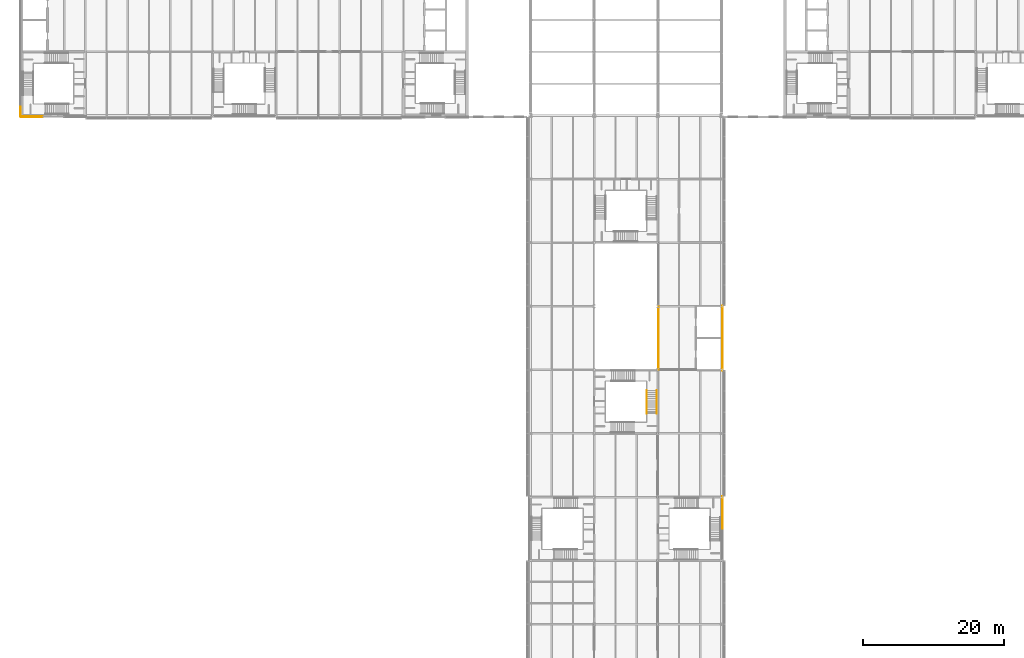
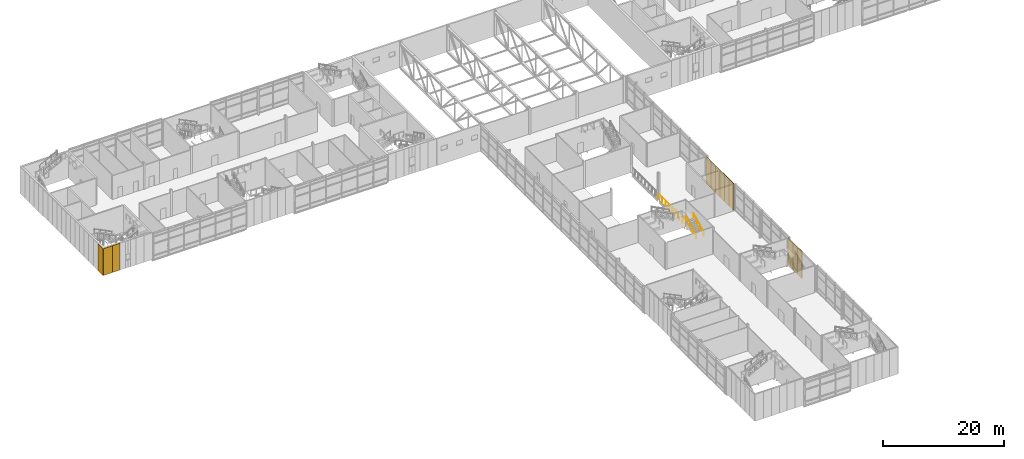
# One storey, part 47 of 53: 12 coverings, 3 railings.
"""IFC4 building model written with IfcOpenShell, lengths in metres."""

from ifc_helpers import new_model, si_unit, direction, frame, origin, origin_2d, place, context, subcontext, project, spatial, rectangle, circle, extrude, material, layer, layer_set, type_object, element, save


model = new_model("IFC4")

# Units and contexts
model_context = context("Model", 3, precision=1e-05, world=origin(), true_north=direction((0.0, 1.0)))
body_context = subcontext(model_context, "Body", "Model", "MODEL_VIEW")
ifc_project = project(units=[si_unit("LENGTHUNIT", "METRE"), si_unit("AREAUNIT", "SQUARE_METRE"), si_unit("VOLUMEUNIT", "CUBIC_METRE"), si_unit("PLANEANGLEUNIT", "RADIAN"), si_unit("MASSUNIT", "GRAM", prefix="KILO")], contexts=[model_context])

# Site, building, storey
site_placement = place(None, origin())
site = spatial("IfcSite", under=ifc_project, at=site_placement, CompositionType="ELEMENT")
building_placement = place(site_placement, origin())
building = spatial("IfcBuilding", under=site, at=building_placement, Name="Azimuth Sports and Learning Centre", CompositionType="ELEMENT")
storey_placement = place(building_placement, frame((0.0, 0.0, 10.800048828125)))
storey = spatial("IfcBuildingStorey", under=building, at=storey_placement, Name="L02", CompositionType="ELEMENT", Elevation=10.800048828125)

# Coverings
ifc_material_1 = material(Name="Cladding panel")
ifc_layer = layer(ifc_material_1, 0.10009765625)
ifc_layer_set = layer_set([ifc_layer], Name="Cladding panel")
covering_type = type_object("IfcCoveringType", Name="Cladding panel 100", PredefinedType="CLADDING", material=ifc_layer_set)
covering_1_placement = place(storey_placement, frame((0.675048828125, 89.800048828125, 0.0), z_axis=(0.0, 0.0, 1.0), x_axis=(1.0, 0.0, 0.0)))
element("IfcCovering", 1, at=covering_1_placement, inside=storey, type_object=covering_type, Name="Cladding panel S-END W L02 1", PredefinedType="CLADDING", context=body_context, shape_type="SweptSolid", body=[
    extrude(rectangle(XDim=1.64990234375, YDim=0.10009765625, at=origin_2d()), origin(), (0.0, 0.0, 1.0), 5.39990234375),
])
for number, where, z_axis, x_axis, name in (
    (2, (2.25, 89.800048828125, 0.0), (0.0, 0.0, 1.0), (1.0, 0.0, 0.0), "Cladding panel S-END W L02 2"),
    (3, (99.14990234375, 32.25, 0.0), (0.0, 0.0, 1.0), (0.0, 1.0, 0.0), "Cladding panel E-ST4 L02 4"),
    (4, (99.14990234375, 33.75, 0.0), (0.0, 0.0, 1.0), (0.0, 1.0, 0.0), "Cladding panel E-ST4 L02 5"),
):
    element("IfcCovering", number, at=place(storey_placement, frame(where, z_axis=z_axis, x_axis=x_axis)), inside=storey, type_object=covering_type, Name=name, PredefinedType="CLADDING", context=body_context, shape_type="SweptSolid", body=[
        extrude(rectangle(XDim=1.5, YDim=0.10009765625, at=origin_2d()), origin(), (0.0, 0.0, 1.0), 5.39990234375),
    ])
for number, where, z_axis, x_axis, name in (
    (5, (99.14990234375, 35.300048828125, 0.0), (0.0, 0.0, 1.0), (0.0, 1.0, 0.0), "Cladding panel E-ST4 L02 6"),
    (6, (99.14990234375, 54.699951171875, 0.0), (0.0, 0.0, 1.0), (0.0, 1.0, 0.0), "Cladding panel E-STL L02 1"),
):
    element("IfcCovering", number, at=place(storey_placement, frame(where, z_axis=z_axis, x_axis=x_axis)), inside=storey, type_object=covering_type, Name=name, PredefinedType="CLADDING", context=body_context, shape_type="SweptSolid", body=[
        extrude(rectangle(XDim=1.60009765625, YDim=0.10009765625, at=origin_2d()), origin(), (0.0, 0.0, 1.0), 5.39990234375),
    ])
for number, where, z_axis, x_axis, name in (
    (7, (99.14990234375, 56.25, 0.0), (0.0, 0.0, 1.0), (0.0, 1.0, 0.0), "Cladding panel E-STL L02 2"),
    (8, (99.14990234375, 57.75, 0.0), (0.0, 0.0, 1.0), (0.0, 1.0, 0.0), "Cladding panel E-STL L02 3"),
    (9, (99.14990234375, 59.25, 0.0), (0.0, 0.0, 1.0), (0.0, 1.0, 0.0), "Cladding panel E-STL L02 4"),
    (10, (99.14990234375, 60.75, 0.0), (0.0, 0.0, 1.0), (0.0, 1.0, 0.0), "Cladding panel E-STL L02 5"),
):
    element("IfcCovering", number, at=place(storey_placement, frame(where, z_axis=z_axis, x_axis=x_axis)), inside=storey, type_object=covering_type, Name=name, PredefinedType="CLADDING", context=body_context, shape_type="SweptSolid", body=[
        extrude(rectangle(XDim=1.5, YDim=0.10009765625, at=origin_2d()), origin(), (0.0, 0.0, 1.0), 5.39990234375),
    ])
covering_2_placement = place(storey_placement, frame((99.14990234375, 62.300048828125, 0.0), z_axis=(0.0, 0.0, 1.0), x_axis=(0.0, 1.0, 0.0)))
element("IfcCovering", 11, at=covering_2_placement, inside=storey, type_object=covering_type, Name="Cladding panel E-STL L02 6", PredefinedType="CLADDING", context=body_context, shape_type="SweptSolid", body=[
    extrude(rectangle(XDim=1.60009765625, YDim=0.10009765625, at=origin_2d()), origin(), (0.0, 0.0, 1.0), 5.39990234375),
])
covering_3_placement = place(storey_placement, frame((-0.199951171875, 90.675048828125, 0.0), z_axis=(0.0, 0.0, 1.0), x_axis=(0.0, -1.0, 0.0)))
element("IfcCovering", 12, at=covering_3_placement, inside=storey, type_object=covering_type, Name="Cladding panel W-END W L02 18", PredefinedType="CLADDING", context=body_context, shape_type="SweptSolid", body=[
    extrude(rectangle(XDim=1.64990234375, YDim=0.10009765625, at=origin_2d()), origin(), (0.0, 0.0, 1.0), 5.39990234375),
])

# Railings
ifc_material_2 = material(Name="Steel balustrade", Category="steel")
railing_type_1 = type_object("IfcRailingType", Name="Guard 1100", PredefinedType="GUARDRAIL", material=ifc_material_2)
railing_placement = place(storey_placement, frame((90.070068359375, 54.0, 0.0)))
element("IfcRailing", 13, at=railing_placement, inside=storey, type_object=railing_type_1, Name="Atrium guard", PredefinedType="GUARDRAIL", context=body_context, shape_type="SweptSolid", body=[
    extrude(circle(Radius=0.02392578125, at=origin_2d()), frame((0.0, 0.0, 1.076171875), z_axis=(0.0, 1.0, 0.0), x_axis=(-1.0, 0.0, 0.0)), (0.0, 0.0, 1.0), 9.0),
    extrude(circle(Radius=0.02099609375, at=origin_2d()), origin(), (0.0, 0.0, 1.0), 1.052001953125),
    extrude(circle(Radius=0.02099609375, at=origin_2d()), frame((0.0, 1.125, 0.0)), (0.0, 0.0, 1.0), 1.052001953125),
    extrude(circle(Radius=0.02099609375, at=origin_2d()), frame((0.0, 2.25, 0.0)), (0.0, 0.0, 1.0), 1.052001953125),
    extrude(circle(Radius=0.02099609375, at=origin_2d()), frame((0.0, 3.375, 0.0)), (0.0, 0.0, 1.0), 1.052001953125),
    extrude(circle(Radius=0.02099609375, at=origin_2d()), frame((0.0, 4.5, 0.0)), (0.0, 0.0, 1.0), 1.052001953125),
    extrude(circle(Radius=0.02099609375, at=origin_2d()), frame((0.0, 5.625, 0.0)), (0.0, 0.0, 1.0), 1.052001953125),
    extrude(circle(Radius=0.02099609375, at=origin_2d()), frame((0.0, 6.75, 0.0)), (0.0, 0.0, 1.0), 1.052001953125),
    extrude(circle(Radius=0.02099609375, at=origin_2d()), frame((0.0, 7.875, 0.0)), (0.0, 0.0, 1.0), 1.052001953125),
    extrude(circle(Radius=0.02099609375, at=origin_2d()), frame((0.0, 9.0, 0.0)), (0.0, 0.0, 1.0), 1.052001953125),
])
ifc_material_3 = material(Name="Stainless steel", Category="steel")
railing_type_2 = type_object("IfcRailingType", Name="Stair handrail 42", PredefinedType="HANDRAIL", material=ifc_material_3)
for number, where, name in (
    (14, (88.419921875, 47.81005859375, 1.949951171875), "Handrail STC L02 flight 2 inner"),
    (15, (89.860107421875, 47.81005859375, 1.949951171875), "Handrail STC L02 flight 2 outer"),
):
    element("IfcRailing", number, at=place(storey_placement, frame(where)), inside=storey, type_object=railing_type_2, Name=name, PredefinedType="HANDRAIL", context=body_context, shape_type="SweptSolid", body=[
        extrude(circle(Radius=0.02099609375, at=origin_2d()), frame((0.0, 0.0, 0.87890625), z_axis=(0.0, 0.894440424912, 0.447187126696), x_axis=(-1.0, 0.0, 0.0)), (0.0, 0.0, 1.0), 3.689453125),
        extrude(circle(Radius=0.01611328125, at=origin_2d()), origin(), (0.0, 0.0, 1.0), 0.85791015625),
        extrude(circle(Radius=0.01611328125, at=origin_2d()), frame((0.0, 1.10009765625, 0.550048828125)), (0.0, 0.0, 1.0), 0.85791015625),
        extrude(circle(Radius=0.01611328125, at=origin_2d()), frame((0.0, 2.199951171875, 1.099853515625)), (0.0, 0.0, 1.0), 0.85791015625),
        extrude(circle(Radius=0.01611328125, at=origin_2d()), frame((0.0, 3.300048828125, 1.64990234375)), (0.0, 0.0, 1.0), 0.85791015625),
    ])

save(model, "model.ifc")
